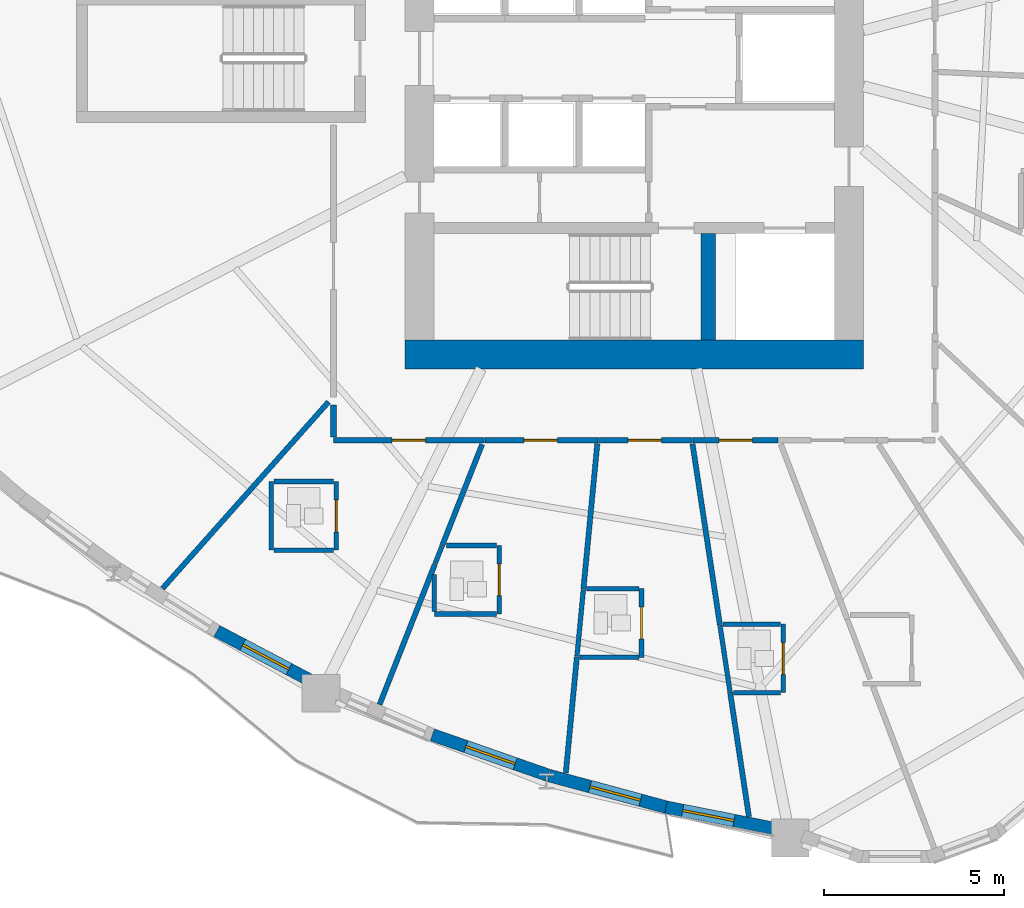
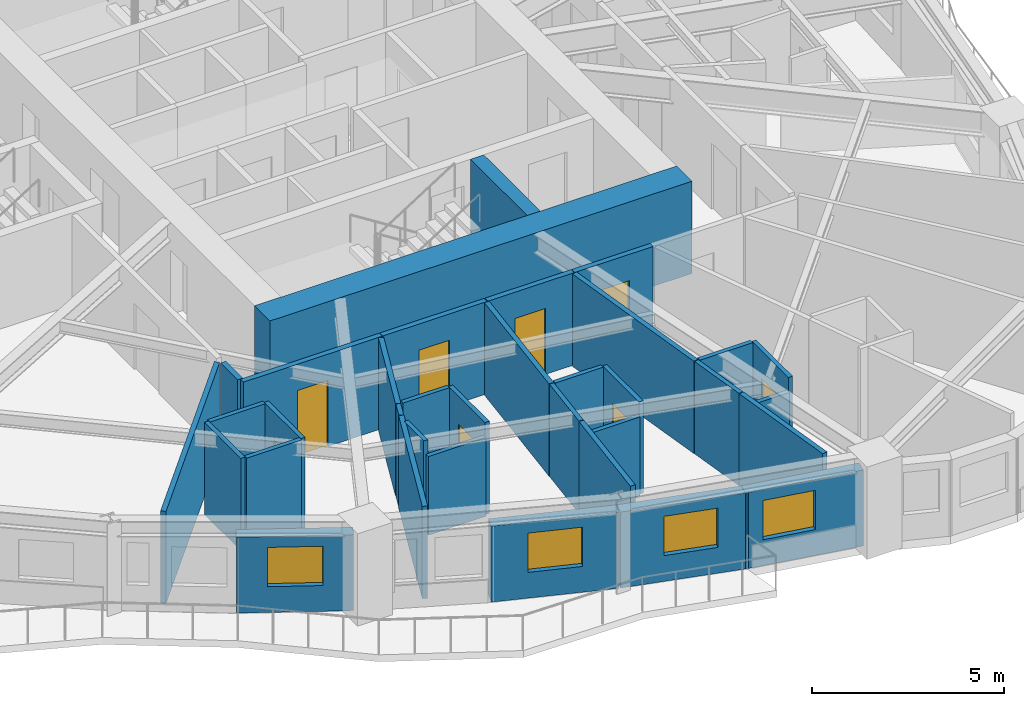
# One storey, part 3 of 14: 35 walls, 8 doors, 4 windows, 12 openings.
"""IFC4 building model written with IfcOpenShell, lengths in metres."""

from ifc_helpers import new_model, si_unit, direction, frame, frame_2d, origin, place, context, subcontext, project, spatial, rectangle, extrude, source, transform, mapped, material, layer, layer_set, type_object, element, fill, save


model = new_model("IFC4")

# Units and contexts
model_context = context("Model", 3, precision=1e-05, world=origin(), true_north=direction((0.0, 1.0)))
body_context = subcontext(model_context, "Body", "Model", "MODEL_VIEW")
ifc_project = project(units=[si_unit("LENGTHUNIT", "METRE"), si_unit("AREAUNIT", "SQUARE_METRE"), si_unit("VOLUMEUNIT", "CUBIC_METRE"), si_unit("PLANEANGLEUNIT", "RADIAN"), si_unit("MASSUNIT", "GRAM", prefix="KILO")], contexts=[model_context])

# Site, building, storey
site_placement = place(None, origin())
site = spatial("IfcSite", under=ifc_project, at=site_placement, CompositionType="ELEMENT")
building_placement = place(site_placement, origin())
building = spatial("IfcBuilding", under=site, at=building_placement, Name="Qafzar Sky-Pleat Residences", CompositionType="ELEMENT")
storey_placement = place(building_placement, frame((0.0, 0.0, 23.800048828125)))
storey = spatial("IfcBuildingStorey", under=building, at=storey_placement, Name="L06", CompositionType="ELEMENT", Elevation=23.800048828125)

# Wall, opening, door
ifc_material_1 = material(Name="Acoustic gypsum plasterboard partition", Category="gypsum")
ifc_layer_1 = layer(ifc_material_1, 0.159912109375)
ifc_layer_set_1 = layer_set([ifc_layer_1], Name="Acoustic gypsum plasterboard partition")
wall_type_1 = type_object("IfcWallType", Name="PART-COR-160", PredefinedType="PARTITIONING", material=ifc_layer_set_1)
wall_1_placement = place(storey_placement, frame((26.197021484375, 15.419921875, 0.0), z_axis=(0.0, 0.0, 1.0), x_axis=(-1.0, 0.0, 0.0)))
wall_1 = element("IfcWall", 1, at=wall_1_placement, inside=storey, type_object=wall_type_1, Name="L06 Partition Wall PART-L06-PW-003", PredefinedType="PARTITIONING", context=body_context, shape_type="SweptSolid", body=[
    extrude(rectangle(XDim=4.177001953125, YDim=0.159912109375, at=frame_2d((2.08837890625, 0.0))), origin(), (0.0, 0.0, 1.0), 2.93505859375),
])
opening_1_placement = place(wall_1_placement, frame((1.636474609375, 0.0, 0.0)))
opening_1 = element("IfcOpeningElement", 2, at=opening_1_placement, cuts=wall_1, Name="Opening ID-04", PredefinedType="OPENING", context=body_context, shape_type="SweptSolid", body=[
    extrude(rectangle(XDim=0.919921875, YDim=2.10009765625, at=frame_2d((0.4599609375, 1.050048828125))), frame((0.0, 0.08984375, 0.0), z_axis=(0.0, -1.0, 0.0), x_axis=(1.0, 0.0, 0.0)), (0.0, 0.0, 1.0), 0.179931640625),
])
ifc_material_2 = material(Name="Timber-faced fire door", Category="wood")
door_type_1 = type_object("IfcDoorType", Name="DR-BED-920", OperationType="NOTDEFINED", PredefinedType="DOOR", material=ifc_material_2)
shared_shape_1 = source(origin(), body_context, "Body", "SweptSolid", [
    extrude(rectangle(XDim=0.919921875, YDim=2.10009765625, at=frame_2d((0.4599609375, 1.050048828125))), frame((0.0, 0.02490234375, 0.0), z_axis=(0.0, -1.0, 0.0), x_axis=(1.0, 0.0, 0.0)), (0.0, 0.0, 1.0), 0.050048828125),
])
door_1_placement = place(opening_1_placement, origin())
door_1 = element("IfcDoor", 3, at=door_1_placement, inside=storey, type_object=door_type_1, Name="L06 Co-Living Bedroom 5 Door", OperationType="SINGLE_SWING_RIGHT", OverallHeight=2.10009765625, OverallWidth=0.919921875, PredefinedType="DOOR", context=body_context, shape_type="MappedRepresentation", body=[
    mapped(shared_shape_1, transform((0.0, 0.0, 0.0), x_axis=(1.0, 0.0, 0.0), y_axis=(0.0, 1.0, 0.0), z_axis=(0.0, 0.0, 1.0), scale=1.0)),
])
fill(opening_1, door_1)

wall_2_placement = place(storey_placement, frame((29.35205078125, 15.419921875, 0.0), z_axis=(0.0, 0.0, 1.0), x_axis=(-1.0, 0.0, 0.0)))
wall_2 = element("IfcWall", 4, at=wall_2_placement, inside=storey, type_object=wall_type_1, Name="L06 Partition Wall PART-L06-PW-008", PredefinedType="PARTITIONING", context=body_context, shape_type="SweptSolid", body=[
    extrude(rectangle(XDim=3.14013671875, YDim=0.159912109375, at=frame_2d((1.570068359375, 0.0))), origin(), (0.0, 0.0, 1.0), 2.93505859375),
])
opening_2_placement = place(wall_2_placement, frame((1.133056640625, 0.0, 0.0)))
opening_2 = element("IfcOpeningElement", 5, at=opening_2_placement, cuts=wall_2, Name="Opening ID-04", PredefinedType="OPENING", context=body_context, shape_type="SweptSolid", body=[
    extrude(rectangle(XDim=0.919921875, YDim=2.10009765625, at=frame_2d((0.4599609375, 1.050048828125))), frame((0.0, 0.08984375, 0.0), z_axis=(0.0, -1.0, 0.0), x_axis=(1.0, 0.0, 0.0)), (0.0, 0.0, 1.0), 0.179931640625),
])
door_2_placement = place(opening_2_placement, origin())
door_2 = element("IfcDoor", 6, at=door_2_placement, inside=storey, type_object=door_type_1, Name="L06 Co-Living Bedroom 6 Door", OperationType="SINGLE_SWING_LEFT", OverallHeight=2.10009765625, OverallWidth=0.919921875, PredefinedType="DOOR", context=body_context, shape_type="MappedRepresentation", body=[
    mapped(shared_shape_1, transform((0.0, 0.0, 0.0), x_axis=(1.0, 0.0, 0.0), y_axis=(0.0, 1.0, 0.0), z_axis=(0.0, 0.0, 1.0), scale=1.0)),
])
fill(opening_2, door_2)

wall_3_placement = place(storey_placement, frame((31.965087890625, 15.419921875, 0.0), z_axis=(0.0, 0.0, 1.0), x_axis=(-1.0, 0.0, 0.0)))
wall_3 = element("IfcWall", 7, at=wall_3_placement, inside=storey, type_object=wall_type_1, Name="L06 Partition Wall PART-L06-PW-011", PredefinedType="PARTITIONING", context=body_context, shape_type="SweptSolid", body=[
    extrude(rectangle(XDim=2.59814453125, YDim=0.159912109375, at=frame_2d((1.299072265625, 0.0))), origin(), (0.0, 0.0, 1.0), 2.93505859375),
])
opening_3_placement = place(wall_3_placement, frame((0.861572265625, 0.0, 0.0)))
opening_3 = element("IfcOpeningElement", 8, at=opening_3_placement, cuts=wall_3, Name="Opening ID-04", PredefinedType="OPENING", context=body_context, shape_type="SweptSolid", body=[
    extrude(rectangle(XDim=0.919921875, YDim=2.10009765625, at=frame_2d((0.4599609375, 1.050048828125))), frame((0.0, 0.08984375, 0.0), z_axis=(0.0, -1.0, 0.0), x_axis=(1.0, 0.0, 0.0)), (0.0, 0.0, 1.0), 0.179931640625),
])
door_3_placement = place(opening_3_placement, origin())
door_3 = element("IfcDoor", 9, at=door_3_placement, inside=storey, type_object=door_type_1, Name="L06 Co-Living Bedroom 7 Door", OperationType="SINGLE_SWING_RIGHT", OverallHeight=2.10009765625, OverallWidth=0.919921875, PredefinedType="DOOR", context=body_context, shape_type="MappedRepresentation", body=[
    mapped(shared_shape_1, transform((0.0, 0.0, 0.0), x_axis=(1.0, 0.0, 0.0), y_axis=(0.0, 1.0, 0.0), z_axis=(0.0, 0.0, 1.0), scale=1.0)),
])
fill(opening_3, door_3)

wall_4_placement = place(storey_placement, frame((34.339111328125, 15.419921875, 0.0), z_axis=(0.0, 0.0, 1.0), x_axis=(-1.0, 0.0, 0.0)))
wall_4 = element("IfcWall", 10, at=wall_4_placement, inside=storey, type_object=wall_type_1, Name="L06 Partition Wall PART-L06-PW-014", PredefinedType="PARTITIONING", context=body_context, shape_type="SweptSolid", body=[
    extrude(rectangle(XDim=2.359130859375, YDim=0.159912109375, at=frame_2d((1.1796875, 0.0))), origin(), (0.0, 0.0, 1.0), 2.93505859375),
])
opening_4_placement = place(wall_4_placement, frame((0.718994140625, 0.0, 0.0)))
opening_4 = element("IfcOpeningElement", 11, at=opening_4_placement, cuts=wall_4, Name="Opening ID-04", PredefinedType="OPENING", context=body_context, shape_type="SweptSolid", body=[
    extrude(rectangle(XDim=0.919921875, YDim=2.10009765625, at=frame_2d((0.4599609375, 1.050048828125))), frame((0.0, 0.08984375, 0.0), z_axis=(0.0, -1.0, 0.0), x_axis=(1.0, 0.0, 0.0)), (0.0, 0.0, 1.0), 0.179931640625),
])
door_4_placement = place(opening_4_placement, origin())
door_4 = element("IfcDoor", 12, at=door_4_placement, inside=storey, type_object=door_type_1, Name="L06 Co-Living Bedroom 8 Door", OperationType="SINGLE_SWING_LEFT", OverallHeight=2.10009765625, OverallWidth=0.919921875, PredefinedType="DOOR", context=body_context, shape_type="MappedRepresentation", body=[
    mapped(shared_shape_1, transform((0.0, 0.0, 0.0), x_axis=(1.0, 0.0, 0.0), y_axis=(0.0, 1.0, 0.0), z_axis=(0.0, 0.0, 1.0), scale=1.0)),
])
fill(opening_4, door_4)

# Walls
wall_5_placement = place(storey_placement, frame((22.02001953125, 15.508056640625, 0.0), z_axis=(0.0, 0.0, 1.0), x_axis=(0.0, 1.0, 0.0)))
element("IfcWall", 13, at=wall_5_placement, inside=storey, type_object=wall_type_1, Name="L06 Partition Wall PART-L06-PW-094", PredefinedType="PARTITIONING", context=body_context, shape_type="SweptSolid", body=[
    extrude(rectangle(XDim=0.885986328125, YDim=0.159912109375, at=frame_2d((0.44287109375, 0.0))), origin(), (0.0, 0.0, 1.0), 2.93505859375),
])
ifc_layer_2 = layer(ifc_material_1, 0.14501953125)
ifc_layer_set_2 = layer_set([ifc_layer_2], Name="Acoustic gypsum plasterboard partition")
wall_type_2 = type_object("IfcWallType", Name="PART-UNIT-145", PredefinedType="PARTITIONING", material=ifc_layer_set_2)
wall_6_placement = place(storey_placement, frame((17.28125, 11.312744140625, 0.0), z_axis=(0.0, 0.0, 1.0), x_axis=(0.664782074701, 0.747037343883, 0.0)))
element("IfcWall", 14, at=wall_6_placement, inside=storey, type_object=wall_type_2, Name="L06 Partition Wall PART-L06-PW-047", PredefinedType="PARTITIONING", context=body_context, shape_type="SweptSolid", body=[
    extrude(rectangle(XDim=6.918701171875, YDim=0.14501953125, at=frame_2d((3.45947265625, 0.0))), origin(), (0.0, 0.0, 1.0), 2.93505859375),
])
wall_7_placement = place(storey_placement, frame((31.96484375, 15.3212890625, 0.0), z_axis=(0.0, 0.0, 1.0), x_axis=(0.149541437001, -0.988755459464, 0.0)))
element("IfcWall", 15, at=wall_7_placement, inside=storey, type_object=wall_type_2, Name="L06 Partition Wall PART-L06-PW-049", PredefinedType="PARTITIONING", context=body_context, shape_type="SweptSolid", body=[
    extrude(rectangle(XDim=5.069091796875, YDim=0.14501953125, at=frame_2d((2.53466796875, 0.0))), origin(), (0.0, 0.0, 1.0), 2.93505859375),
])
wall_8_placement = place(storey_placement, frame((23.29541015625, 8.097900390625, 0.0), z_axis=(0.0, 0.0, 1.0), x_axis=(0.366696366135, 0.930340676883, 0.0)))
element("IfcWall", 16, at=wall_8_placement, inside=storey, type_object=wall_type_2, Name="L06 Partition Wall PART-L06-PW-052", PredefinedType="PARTITIONING", context=body_context, shape_type="SweptSolid", body=[
    extrude(rectangle(XDim=4.173828125, YDim=0.14501953125, at=frame_2d((2.0869140625, 0.0))), origin(), (0.0, 0.0, 1.0), 2.93505859375),
])
wall_9_placement = place(storey_placement, frame((28.94189453125, 11.291015625, 0.0), z_axis=(0.0, 0.0, 1.0), x_axis=(0.095244050973, 0.995453952101, 0.0)))
element("IfcWall", 17, at=wall_9_placement, inside=storey, type_object=wall_type_2, Name="L06 Partition Wall PART-L06-PW-053", PredefinedType="PARTITIONING", context=body_context, shape_type="SweptSolid", body=[
    extrude(rectangle(XDim=4.052490234375, YDim=0.14501953125, at=frame_2d((2.0263671875, 0.0))), origin(), (0.0, 0.0, 1.0), 2.93505859375),
])
wall_10_placement = place(storey_placement, frame((33.006103515625, 8.43896484375, 0.0), z_axis=(0.0, 0.0, 1.0), x_axis=(0.149510938207, -0.988760071684, 0.0)))
element("IfcWall", 18, at=wall_10_placement, inside=storey, type_object=wall_type_2, Name="L06 Partition Wall PART-L06-PW-056", PredefinedType="PARTITIONING", context=body_context, shape_type="SweptSolid", body=[
    extrude(rectangle(XDim=3.488037109375, YDim=0.14501953125, at=frame_2d((1.744140625, 0.0))), origin(), (0.0, 0.0, 1.0), 2.93505859375),
])
wall_11_placement = place(storey_placement, frame((28.454833984375, 6.2060546875, 0.0), z_axis=(0.0, 0.0, 1.0), x_axis=(0.095101625286, 0.995467568968, 0.0)))
element("IfcWall", 19, at=wall_11_placement, inside=storey, type_object=wall_type_2, Name="L06 Partition Wall PART-L06-PW-057", PredefinedType="PARTITIONING", context=body_context, shape_type="SweptSolid", body=[
    extrude(rectangle(XDim=3.2294921875, YDim=0.14501953125, at=frame_2d((1.61474609375, 0.0))), origin(), (0.0, 0.0, 1.0), 2.93505859375),
])
wall_12_placement = place(storey_placement, frame((25.02587890625, 12.489990234375, 0.0), z_axis=(0.0, 0.0, 1.0), x_axis=(0.366755134598, 0.930317510985, 0.0)))
element("IfcWall", 20, at=wall_12_placement, inside=storey, type_object=wall_type_2, Name="L06 Partition Wall PART-L06-PW-058", PredefinedType="PARTITIONING", context=body_context, shape_type="SweptSolid", body=[
    extrude(rectangle(XDim=3.02685546875, YDim=0.14501953125, at=frame_2d((1.513427734375, 0.0))), origin(), (0.0, 0.0, 1.0), 2.93505859375),
])

# Wall, opening, door
ifc_material_3 = material(Name="Moisture-resistant gypsum partition", Category="gypsum")
ifc_layer_3 = layer(ifc_material_3, 0.1298828125)
ifc_layer_set_3 = layer_set([ifc_layer_3], Name="Moisture-resistant gypsum partition")
wall_type_3 = type_object("IfcWallType", Name="PART-WET-130", PredefinedType="PARTITIONING", material=ifc_layer_set_3)
wall_13_placement = place(storey_placement, frame((26.611083984375, 10.60498046875, 0.0), z_axis=(0.0, 0.0, 1.0), x_axis=(0.0, 1.0, 0.0)))
wall_13 = element("IfcWall", 21, at=wall_13_placement, inside=storey, type_object=wall_type_3, Name="L06 Partition Wall PART-L06-PW-018", PredefinedType="PARTITIONING", context=body_context, shape_type="SweptSolid", body=[
    extrude(rectangle(XDim=1.89990234375, YDim=0.1298828125, at=frame_2d((0.949951171875, 0.0))), origin(), (0.0, 0.0, 1.0), 2.93505859375),
])
opening_5_placement = place(wall_13_placement, frame((0.510009765625, 0.0, 0.0)))
opening_5 = element("IfcOpeningElement", 22, at=opening_5_placement, cuts=wall_13, Name="Opening ID-07", PredefinedType="OPENING", context=body_context, shape_type="SweptSolid", body=[
    extrude(rectangle(XDim=0.8798828125, YDim=2.050048828125, at=frame_2d((0.43994140625, 1.02490234375))), frame((0.0, 0.074951171875, 0.0), z_axis=(0.0, -1.0, 0.0), x_axis=(1.0, 0.0, 0.0)), (0.0, 0.0, 1.0), 0.14990234375),
])
door_type_2 = type_object("IfcDoorType", Name="DR-WET-880", OperationType="NOTDEFINED", PredefinedType="DOOR", material=ifc_material_2)
shared_shape_2 = source(origin(), body_context, "Body", "SweptSolid", [
    extrude(rectangle(XDim=0.8798828125, YDim=2.050048828125, at=frame_2d((0.43994140625, 1.02490234375))), frame((0.0, 0.02490234375, 0.0), z_axis=(0.0, -1.0, 0.0), x_axis=(1.0, 0.0, 0.0)), (0.0, 0.0, 1.0), 0.050048828125),
])
door_5_placement = place(opening_5_placement, origin())
door_5 = element("IfcDoor", 23, at=door_5_placement, inside=storey, type_object=door_type_2, Name="L06 En-suite Bathroom 6 Door", OperationType="SINGLE_SWING_LEFT", OverallHeight=2.050048828125, OverallWidth=0.8798828125, PredefinedType="DOOR", context=body_context, shape_type="MappedRepresentation", body=[
    mapped(shared_shape_2, transform((0.0, 0.0, 0.0), x_axis=(1.0, 0.0, 0.0), y_axis=(0.0, 1.0, 0.0), z_axis=(0.0, 0.0, 1.0), scale=1.0)),
])
fill(opening_5, door_5)

wall_14_placement = place(storey_placement, frame((34.47705078125, 8.424072265625, 0.0), z_axis=(0.0, 0.0, 1.0), x_axis=(0.0, 1.0, 0.0)))
wall_14 = element("IfcWall", 24, at=wall_14_placement, inside=storey, type_object=wall_type_3, Name="L06 Partition Wall PART-L06-PW-019", PredefinedType="PARTITIONING", context=body_context, shape_type="SweptSolid", body=[
    extrude(rectangle(XDim=1.89990234375, YDim=0.1298828125, at=frame_2d((0.949951171875, 0.0))), origin(), (0.0, 0.0, 1.0), 2.93505859375),
])
opening_6_placement = place(wall_14_placement, frame((0.510009765625, 0.0, 0.0)))
opening_6 = element("IfcOpeningElement", 25, at=opening_6_placement, cuts=wall_14, Name="Opening ID-07", PredefinedType="OPENING", context=body_context, shape_type="SweptSolid", body=[
    extrude(rectangle(XDim=0.8798828125, YDim=2.050048828125, at=frame_2d((0.43994140625, 1.02490234375))), frame((0.0, 0.074951171875, 0.0), z_axis=(0.0, -1.0, 0.0), x_axis=(1.0, 0.0, 0.0)), (0.0, 0.0, 1.0), 0.14990234375),
])
door_6_placement = place(opening_6_placement, origin())
door_6 = element("IfcDoor", 26, at=door_6_placement, inside=storey, type_object=door_type_2, Name="L06 En-suite Bathroom 8 Door", OperationType="SINGLE_SWING_RIGHT", OverallHeight=2.050048828125, OverallWidth=0.8798828125, PredefinedType="DOOR", context=body_context, shape_type="MappedRepresentation", body=[
    mapped(shared_shape_2, transform((0.0, 0.0, 0.0), x_axis=(1.0, 0.0, 0.0), y_axis=(0.0, 1.0, 0.0), z_axis=(0.0, 0.0, 1.0), scale=1.0)),
])
fill(opening_6, door_6)

wall_15_placement = place(storey_placement, frame((22.092041015625, 12.3740234375, 0.0), z_axis=(0.0, 0.0, 1.0), x_axis=(0.0, 1.0, 0.0)))
wall_15 = element("IfcWall", 27, at=wall_15_placement, inside=storey, type_object=wall_type_3, Name="L06 Partition Wall PART-L06-PW-021", PredefinedType="PARTITIONING", context=body_context, shape_type="SweptSolid", body=[
    extrude(rectangle(XDim=1.89990234375, YDim=0.1298828125, at=frame_2d((0.949951171875, 0.0))), origin(), (0.0, 0.0, 1.0), 2.93505859375),
])
opening_7_placement = place(wall_15_placement, frame((0.510009765625, 0.0, 0.0)))
opening_7 = element("IfcOpeningElement", 28, at=opening_7_placement, cuts=wall_15, Name="Opening ID-07", PredefinedType="OPENING", context=body_context, shape_type="SweptSolid", body=[
    extrude(rectangle(XDim=0.8798828125, YDim=2.050048828125, at=frame_2d((0.43994140625, 1.02490234375))), frame((0.0, 0.074951171875, 0.0), z_axis=(0.0, -1.0, 0.0), x_axis=(1.0, 0.0, 0.0)), (0.0, 0.0, 1.0), 0.14990234375),
])
door_7_placement = place(opening_7_placement, origin())
door_7 = element("IfcDoor", 29, at=door_7_placement, inside=storey, type_object=door_type_2, Name="L06 En-suite Bathroom 5 Door", OperationType="SINGLE_SWING_RIGHT", OverallHeight=2.050048828125, OverallWidth=0.8798828125, PredefinedType="DOOR", context=body_context, shape_type="MappedRepresentation", body=[
    mapped(shared_shape_2, transform((0.0, 0.0, 0.0), x_axis=(1.0, 0.0, 0.0), y_axis=(0.0, 1.0, 0.0), z_axis=(0.0, 0.0, 1.0), scale=1.0)),
])
fill(opening_7, door_7)

wall_16_placement = place(storey_placement, frame((30.550048828125, 9.406005859375, 0.0), z_axis=(0.0, 0.0, 1.0), x_axis=(0.0, 1.0, 0.0)))
wall_16 = element("IfcWall", 30, at=wall_16_placement, inside=storey, type_object=wall_type_3, Name="L06 Partition Wall PART-L06-PW-022", PredefinedType="PARTITIONING", context=body_context, shape_type="SweptSolid", body=[
    extrude(rectangle(XDim=1.89990234375, YDim=0.1298828125, at=frame_2d((0.949951171875, 0.0))), origin(), (0.0, 0.0, 1.0), 2.93505859375),
])
opening_8_placement = place(wall_16_placement, frame((0.510009765625, 0.0, 0.0)))
opening_8 = element("IfcOpeningElement", 31, at=opening_8_placement, cuts=wall_16, Name="Opening ID-07", PredefinedType="OPENING", context=body_context, shape_type="SweptSolid", body=[
    extrude(rectangle(XDim=0.8798828125, YDim=2.050048828125, at=frame_2d((0.43994140625, 1.02490234375))), frame((0.0, 0.074951171875, 0.0), z_axis=(0.0, -1.0, 0.0), x_axis=(1.0, 0.0, 0.0)), (0.0, 0.0, 1.0), 0.14990234375),
])
door_8_placement = place(opening_8_placement, origin())
door_8 = element("IfcDoor", 32, at=door_8_placement, inside=storey, type_object=door_type_2, Name="L06 En-suite Bathroom 7 Door", OperationType="SINGLE_SWING_LEFT", OverallHeight=2.050048828125, OverallWidth=0.8798828125, PredefinedType="DOOR", context=body_context, shape_type="MappedRepresentation", body=[
    mapped(shared_shape_2, transform((0.0, 0.0, 0.0), x_axis=(1.0, 0.0, 0.0), y_axis=(0.0, 1.0, 0.0), z_axis=(0.0, 0.0, 1.0), scale=1.0)),
])
fill(opening_8, door_8)

# Walls
wall_17_placement = place(storey_placement, frame((20.2919921875, 12.3740234375, 0.0), z_axis=(0.0, 0.0, 1.0), x_axis=(0.0, 1.0, 0.0)))
element("IfcWall", 33, at=wall_17_placement, inside=storey, type_object=wall_type_3, Name="L06 Partition Wall PART-L06-PW-067", PredefinedType="PARTITIONING", context=body_context, shape_type="SweptSolid", body=[
    extrude(rectangle(XDim=1.89990234375, YDim=0.1298828125, at=frame_2d((0.949951171875, 0.0))), origin(), (0.0, 0.0, 1.0), 2.93505859375),
])
wall_18_placement = place(storey_placement, frame((32.724853515625, 10.294189453125, 0.0), z_axis=(0.0, 0.0, 1.0), x_axis=(0.149533379282, -0.988756678096, 0.0)))
element("IfcWall", 34, at=wall_18_placement, inside=storey, type_object=wall_type_3, Name="L06 Partition Wall PART-L06-PW-069", PredefinedType="PARTITIONING", context=body_context, shape_type="SweptSolid", body=[
    extrude(rectangle(XDim=1.861328125, YDim=0.1298828125, at=frame_2d((0.9306640625, 0.0))), origin(), (0.0, 0.0, 1.0), 2.93505859375),
])
wall_19_placement = place(storey_placement, frame((28.764404296875, 9.435791015625, 0.0), z_axis=(0.0, 0.0, 1.0), x_axis=(0.094821557036, 0.995494285429, 0.0)))
element("IfcWall", 35, at=wall_19_placement, inside=storey, type_object=wall_type_3, Name="L06 Partition Wall PART-L06-PW-070", PredefinedType="PARTITIONING", context=body_context, shape_type="SweptSolid", body=[
    extrude(rectangle(XDim=1.8486328125, YDim=0.1298828125, at=frame_2d((0.92431640625, 0.0))), origin(), (0.0, 0.0, 1.0), 2.93505859375),
])
wall_20_placement = place(storey_placement, frame((24.81103515625, 10.60498046875, 0.0), z_axis=(0.0, 0.0, 1.0), x_axis=(1.0, 0.0, 0.0)))
element("IfcWall", 36, at=wall_20_placement, inside=storey, type_object=wall_type_3, Name="L06 Partition Wall PART-L06-PW-073", PredefinedType="PARTITIONING", context=body_context, shape_type="SweptSolid", body=[
    extrude(rectangle(XDim=1.72705078125, YDim=0.1298828125, at=frame_2d((0.863525390625, 0.0))), origin(), (0.0, 0.0, 1.0), 2.5029296875),
])
for number, where, z_axis, x_axis, name in (
    (37, (20.364990234375, 14.27392578125, 0.0), (0.0, 0.0, 1.0), (1.0, 0.0, 0.0), "L06 Partition Wall PART-L06-PW-074"),
    (38, (20.364990234375, 12.3740234375, 0.0), (0.0, 0.0, 1.0), (1.0, 0.0, 0.0), "L06 Partition Wall PART-L06-PW-075"),
):
    element("IfcWall", number, at=place(storey_placement, frame(where, z_axis=z_axis, x_axis=x_axis)), inside=storey, type_object=wall_type_3, Name=name, PredefinedType="PARTITIONING", context=body_context, shape_type="SweptSolid", body=[
        extrude(rectangle(XDim=1.654052734375, YDim=0.1298828125, at=frame_2d((0.8271484375, 0.0))), origin(), (0.0, 0.0, 1.0), 2.93505859375),
    ])
wall_21_placement = place(storey_placement, frame((28.847900390625, 9.406005859375, 0.0), z_axis=(0.0, 0.0, 1.0), x_axis=(1.0, 0.0, 0.0)))
element("IfcWall", 39, at=wall_21_placement, inside=storey, type_object=wall_type_3, Name="L06 Partition Wall PART-L06-PW-079", PredefinedType="PARTITIONING", context=body_context, shape_type="SweptSolid", body=[
    extrude(rectangle(XDim=1.629150390625, YDim=0.1298828125, at=frame_2d((0.814453125, 0.0))), origin(), (0.0, 0.0, 1.0), 2.5029296875),
])
wall_22_placement = place(storey_placement, frame((32.812255859375, 10.323974609375, 0.0), z_axis=(0.0, 0.0, 1.0), x_axis=(1.0, 0.0, 0.0)))
element("IfcWall", 40, at=wall_22_placement, inside=storey, type_object=wall_type_3, Name="L06 Partition Wall PART-L06-PW-080", PredefinedType="PARTITIONING", context=body_context, shape_type="SweptSolid", body=[
    extrude(rectangle(XDim=1.591796875, YDim=0.1298828125, at=frame_2d((0.7958984375, 0.0))), origin(), (0.0, 0.0, 1.0), 2.93505859375),
])
wall_23_placement = place(storey_placement, frame((29.030029296875, 11.305908203125, 0.0), z_axis=(0.0, 0.0, 1.0), x_axis=(1.0, 0.0, 0.0)))
element("IfcWall", 41, at=wall_23_placement, inside=storey, type_object=wall_type_3, Name="L06 Partition Wall PART-L06-PW-084", PredefinedType="PARTITIONING", context=body_context, shape_type="SweptSolid", body=[
    extrude(rectangle(XDim=1.447021484375, YDim=0.1298828125, at=frame_2d((0.7236328125, 0.0))), origin(), (0.0, 0.0, 1.0), 2.93505859375),
])
wall_24_placement = place(storey_placement, frame((25.1435546875, 12.5048828125, 0.0), z_axis=(0.0, 0.0, 1.0), x_axis=(1.0, 0.0, 0.0)))
element("IfcWall", 42, at=wall_24_placement, inside=storey, type_object=wall_type_3, Name="L06 Partition Wall PART-L06-PW-085", PredefinedType="PARTITIONING", context=body_context, shape_type="SweptSolid", body=[
    extrude(rectangle(XDim=1.39453125, YDim=0.1298828125, at=frame_2d((0.697265625, 0.0))), origin(), (0.0, 0.0, 1.0), 2.93505859375),
])
wall_25_placement = place(storey_placement, frame((33.09912109375, 8.424072265625, 0.0), z_axis=(0.0, 0.0, 1.0), x_axis=(1.0, 0.0, 0.0)))
element("IfcWall", 43, at=wall_25_placement, inside=storey, type_object=wall_type_3, Name="L06 Partition Wall PART-L06-PW-087", PredefinedType="PARTITIONING", context=body_context, shape_type="SweptSolid", body=[
    extrude(rectangle(XDim=1.304931640625, YDim=0.1298828125, at=frame_2d((0.65234375, 0.0))), origin(), (0.0, 0.0, 1.0), 2.5029296875),
])
wall_26_placement = place(storey_placement, frame((24.81103515625, 10.677978515625, 0.0), z_axis=(0.0, 0.0, 1.0), x_axis=(0.0, 1.0, 0.0)))
element("IfcWall", 44, at=wall_26_placement, inside=storey, type_object=wall_type_3, Name="L06 Partition Wall PART-L06-PW-092", PredefinedType="PARTITIONING", context=body_context, shape_type="SweptSolid", body=[
    extrude(rectangle(XDim=1.02490234375, YDim=0.1298828125, at=frame_2d((0.512451171875, 0.0))), origin(), (0.0, 0.0, 1.0), 2.93505859375),
])
wall_27_placement = place(storey_placement, frame((24.831298828125, 11.9951171875, 0.0), z_axis=(0.0, 0.0, 1.0), x_axis=(0.366499739739, 0.93041815372, 0.0)))
element("IfcWall", 45, at=wall_27_placement, inside=storey, type_object=wall_type_3, Name="L06 Partition Wall PART-L06-PW-100", PredefinedType="PARTITIONING", context=body_context, shape_type="SweptSolid", body=[
    extrude(rectangle(XDim=0.516845703125, YDim=0.1298828125, at=frame_2d((0.25830078125, 0.0))), origin(), (0.0, 0.0, 1.0), 2.93505859375),
])

# Wall, opening, window
ifc_material_4 = material(Name="Precast concrete C40/50 with honed Riyadh limestone", Category="concrete")
ifc_layer_4 = layer(ifc_material_4, 0.35009765625)
ifc_layer_set_4 = layer_set([ifc_layer_4], Name="Precast concrete C40/50 with honed Riyadh limestone")
wall_type_4 = type_object("IfcWallType", Name="WALL-EXT-350", PredefinedType="SOLIDWALL", material=ifc_layer_set_4)
wall_28_placement = place(storey_placement, frame((18.78662109375, 10.13134765625, 0.0), z_axis=(0.0, 0.0, 1.0), x_axis=(0.88440307047, -0.466723910834, 0.0)))
wall_28 = element("IfcWall", 46, at=wall_28_placement, inside=storey, type_object=wall_type_4, Name="L06 Limestone Facade Wall 12", PredefinedType="SOLIDWALL", context=body_context, shape_type="SweptSolid", body=[
    extrude(rectangle(XDim=3.056396484375, YDim=0.35009765625, at=frame_2d((1.5283203125, 0.0))), origin(), (0.0, 0.0, 1.0), 2.4150390625),
])
opening_9_placement = place(wall_28_placement, frame((0.80810546875, 0.0, 0.820068359375)))
opening_9 = element("IfcOpeningElement", 47, at=opening_9_placement, cuts=wall_28, Name="Opening WN-15", PredefinedType="OPENING", context=body_context, shape_type="SweptSolid", body=[
    extrude(rectangle(XDim=1.449951171875, YDim=1.25, at=frame_2d((0.72509765625, 0.625))), frame((0.0, 0.18505859375, 0.0), z_axis=(0.0, -1.0, 0.0), x_axis=(1.0, 0.0, 0.0)), (0.0, 0.0, 1.0), 0.3701171875),
])
ifc_material_5 = material(Name="Solar-control low-E glass in bronze aluminium frame", Category="glass")
window_type = type_object("IfcWindowType", Name="WIN-15", PartitioningType="SINGLE_PANEL", PredefinedType="WINDOW", material=ifc_material_5)
shared_shape_3 = source(origin(), body_context, "Body", "SweptSolid", [
    extrude(rectangle(XDim=1.449951171875, YDim=1.25, at=frame_2d((0.72509765625, 0.625))), frame((0.0, 0.030029296875, 0.0), z_axis=(0.0, -1.0, 0.0), x_axis=(1.0, 0.0, 0.0)), (0.0, 0.0, 1.0), 0.06005859375),
])
window_1_placement = place(opening_9_placement, origin())
window_1 = element("IfcWindow", 48, at=window_1_placement, inside=storey, type_object=window_type, Name="L06 Punched Facade Window 12", OverallHeight=1.25, OverallWidth=1.449951171875, PartitioningType="SINGLE_PANEL", PredefinedType="WINDOW", context=body_context, shape_type="MappedRepresentation", body=[
    mapped(shared_shape_3, transform((0.0, 0.0, 0.0), x_axis=(1.0, 0.0, 0.0), y_axis=(0.0, 1.0, 0.0), z_axis=(0.0, 0.0, 1.0), scale=1.0)),
])
fill(opening_9, window_1)

wall_29_placement = place(storey_placement, frame((24.756103515625, 7.257080078125, 0.0), z_axis=(0.0, 0.0, 1.0), x_axis=(0.944142925437, -0.329536244361, 0.0)))
wall_29 = element("IfcWall", 49, at=wall_29_placement, inside=storey, type_object=wall_type_4, Name="L06 Limestone Facade Wall 14", PredefinedType="SOLIDWALL", context=body_context, shape_type="SweptSolid", body=[
    extrude(rectangle(XDim=3.39306640625, YDim=0.35009765625, at=frame_2d((1.696533203125, 0.0))), origin(), (0.0, 0.0, 1.0), 2.4150390625),
])
opening_10_placement = place(wall_29_placement, frame((0.981689453125, 0.0, 0.820068359375)))
opening_10 = element("IfcOpeningElement", 50, at=opening_10_placement, cuts=wall_29, Name="Opening WN-15", PredefinedType="OPENING", context=body_context, shape_type="SweptSolid", body=[
    extrude(rectangle(XDim=1.449951171875, YDim=1.25, at=frame_2d((0.72509765625, 0.625))), frame((0.0, 0.18505859375, 0.0), z_axis=(0.0, -1.0, 0.0), x_axis=(1.0, 0.0, 0.0)), (0.0, 0.0, 1.0), 0.3701171875),
])
window_2_placement = place(opening_10_placement, origin())
window_2 = element("IfcWindow", 51, at=window_2_placement, inside=storey, type_object=window_type, Name="L06 Punched Facade Window 14", OverallHeight=1.25, OverallWidth=1.449951171875, PartitioningType="SINGLE_PANEL", PredefinedType="WINDOW", context=body_context, shape_type="MappedRepresentation", body=[
    mapped(shared_shape_3, transform((0.0, 0.0, 0.0), x_axis=(1.0, 0.0, 0.0), y_axis=(0.0, 1.0, 0.0), z_axis=(0.0, 0.0, 1.0), scale=1.0)),
])
fill(opening_10, window_2)

wall_30_placement = place(storey_placement, frame((27.98583984375, 6.130615234375, 0.0), z_axis=(0.0, 0.0, 1.0), x_axis=(0.96546113776, -0.2605471003, 0.0)))
wall_30 = element("IfcWall", 52, at=wall_30_placement, inside=storey, type_object=wall_type_4, Name="L06 Limestone Facade Wall 15", PredefinedType="SOLIDWALL", context=body_context, shape_type="SweptSolid", body=[
    extrude(rectangle(XDim=3.44921875, YDim=0.35009765625, at=frame_2d((1.724609375, 0.0))), origin(), (0.0, 0.0, 1.0), 2.4150390625),
])
opening_11_placement = place(wall_30_placement, frame((1.1787109375, 0.0, 0.820068359375)))
opening_11 = element("IfcOpeningElement", 53, at=opening_11_placement, cuts=wall_30, Name="Opening WN-15", PredefinedType="OPENING", context=body_context, shape_type="SweptSolid", body=[
    extrude(rectangle(XDim=1.449951171875, YDim=1.25, at=frame_2d((0.72509765625, 0.625))), frame((0.0, 0.18505859375, 0.0), z_axis=(0.0, -1.0, 0.0), x_axis=(1.0, 0.0, 0.0)), (0.0, 0.0, 1.0), 0.3701171875),
])
window_3_placement = place(opening_11_placement, origin())
window_3 = element("IfcWindow", 54, at=window_3_placement, inside=storey, type_object=window_type, Name="L06 Punched Facade Window 15-2", OverallHeight=1.25, OverallWidth=1.449951171875, PartitioningType="SINGLE_PANEL", PredefinedType="WINDOW", context=body_context, shape_type="MappedRepresentation", body=[
    mapped(shared_shape_3, transform((0.0, 0.0, 0.0), x_axis=(1.0, 0.0, 0.0), y_axis=(0.0, 1.0, 0.0), z_axis=(0.0, 0.0, 1.0), scale=1.0)),
])
fill(opening_11, window_3)

wall_31_placement = place(storey_placement, frame((31.230224609375, 5.251953125, 0.0), z_axis=(0.0, 0.0, 1.0), x_axis=(0.981232542219, -0.192828156892, 0.0)))
wall_31 = element("IfcWall", 55, at=wall_31_placement, inside=storey, type_object=wall_type_4, Name="L06 Limestone Facade Wall 16", PredefinedType="SOLIDWALL", context=body_context, shape_type="SweptSolid", body=[
    extrude(rectangle(XDim=3.242431640625, YDim=0.35009765625, at=frame_2d((1.62109375, 0.0))), origin(), (0.0, 0.0, 1.0), 2.4150390625),
])
opening_12_placement = place(wall_31_placement, frame((0.470947265625, 0.0, 0.820068359375)))
opening_12 = element("IfcOpeningElement", 56, at=opening_12_placement, cuts=wall_31, Name="Opening WN-15", PredefinedType="OPENING", context=body_context, shape_type="SweptSolid", body=[
    extrude(rectangle(XDim=1.449951171875, YDim=1.25, at=frame_2d((0.72509765625, 0.625))), frame((0.0, 0.18505859375, 0.0), z_axis=(0.0, -1.0, 0.0), x_axis=(1.0, 0.0, 0.0)), (0.0, 0.0, 1.0), 0.3701171875),
])
window_4_placement = place(opening_12_placement, origin())
window_4 = element("IfcWindow", 57, at=window_4_placement, inside=storey, type_object=window_type, Name="L06 Punched Facade Window 16", OverallHeight=1.25, OverallWidth=1.449951171875, PartitioningType="SINGLE_PANEL", PredefinedType="WINDOW", context=body_context, shape_type="MappedRepresentation", body=[
    mapped(shared_shape_3, transform((0.0, 0.0, 0.0), x_axis=(1.0, 0.0, 0.0), y_axis=(0.0, 1.0, 0.0), z_axis=(0.0, 0.0, 1.0), scale=1.0)),
])
fill(opening_12, window_4)

# Walls
ifc_material_6 = material(Name="Concrete C60/75", Category="concrete")
ifc_layer_5 = layer(ifc_material_6, 0.39990234375)
ifc_layer_set_5 = layer_set([ifc_layer_5], Name="Concrete C60/75")
wall_type_5 = type_object("IfcWallType", Name="WALL-SHEAR-400", PredefinedType="SHEAR", material=ifc_layer_set_5)
wall_32_placement = place(storey_placement, frame((32.39990234375, 18.199951171875, 0.0), z_axis=(0.0, 0.0, 1.0), x_axis=(0.0, 1.0, 0.0)))
element("IfcWall", 58, at=wall_32_placement, inside=storey, type_object=wall_type_5, Name="L06 Stair ST1 East Dividing Wall", PredefinedType="SHEAR", context=body_context, shape_type="SweptSolid", body=[
    extrude(rectangle(XDim=2.949951171875, YDim=0.39990234375, at=frame_2d((1.47509765625, 0.0))), origin(), (0.0, 0.0, 1.0), 2.93505859375),
])
ifc_layer_6 = layer(ifc_material_6, 0.800048828125)
ifc_layer_set_6 = layer_set([ifc_layer_6], Name="Concrete C60/75")
wall_type_6 = type_object("IfcWallType", Name="WALL-SHEAR-800", PredefinedType="SHEAR", material=ifc_layer_set_6)
wall_33_placement = place(storey_placement, frame((24.0, 17.800048828125, 0.0), z_axis=(0.0, 0.0, 1.0), x_axis=(1.0, 0.0, 0.0)))
element("IfcWall", 59, at=wall_33_placement, inside=storey, type_object=wall_type_6, Name="L06 CORE wall S", PredefinedType="SHEAR", context=body_context, shape_type="SweptSolid", body=[
    extrude(rectangle(XDim=12.699951171875, YDim=0.800048828125, at=frame_2d((6.35009765625, 0.0))), origin(), (0.0, 0.0, 1.0), 2.93505859375),
])

save(model, "model.ifc")
